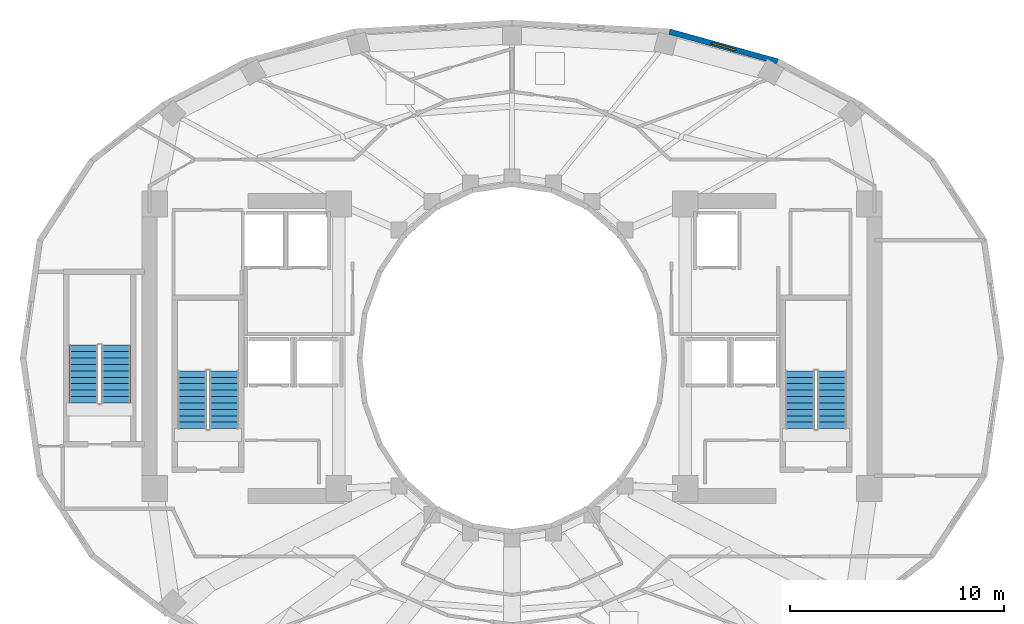
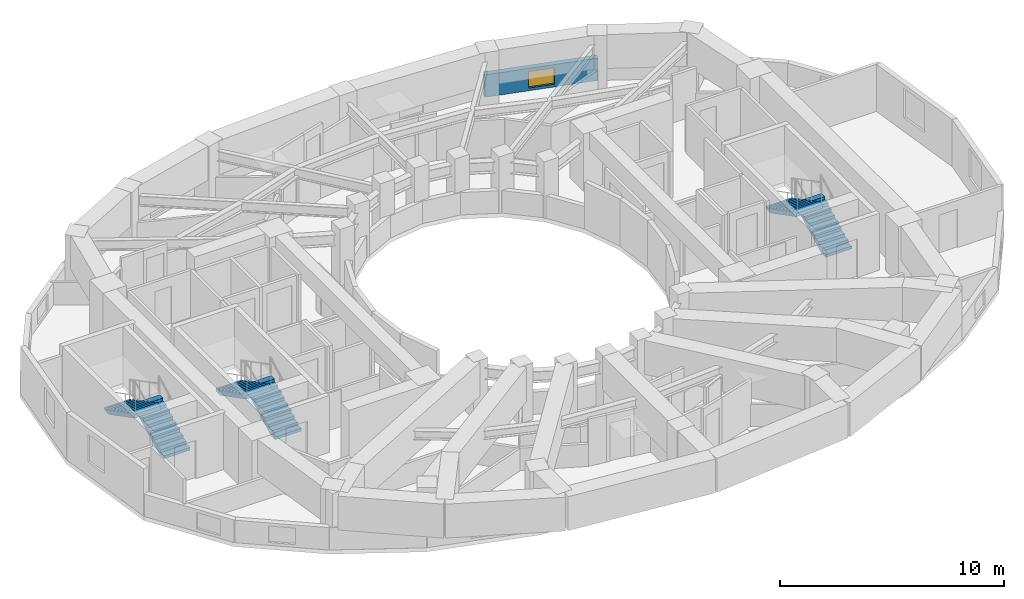
# One storey, part 7 of 9: 6 stair flights, 1 wall, 1 window, 1 opening, 3 elements without a shape of their own.
"""IFC4 building model written with IfcOpenShell, lengths in metres."""

from ifc_helpers import new_model, si_unit, direction, frame, frame_2d, origin, place, context, subcontext, project, spatial, polyline, rectangle, outline, extrude, material, layer, layer_set, type_object, element, fill, aggregate, save


model = new_model("IFC4")

# Units and contexts
model_context = context("Model", 3, precision=1e-05, world=origin(), true_north=direction((0.0, 1.0)))
body_context = subcontext(model_context, "Body", "Model", "MODEL_VIEW")
ifc_project = project(units=[si_unit("LENGTHUNIT", "METRE"), si_unit("AREAUNIT", "SQUARE_METRE"), si_unit("VOLUMEUNIT", "CUBIC_METRE"), si_unit("PLANEANGLEUNIT", "RADIAN"), si_unit("MASSUNIT", "GRAM", prefix="KILO")], contexts=[model_context])

# Site, building, storey
site_placement = place(None, origin())
site = spatial("IfcSite", under=ifc_project, at=site_placement, CompositionType="ELEMENT")
building_placement = place(site_placement, origin())
building = spatial("IfcBuilding", under=site, at=building_placement, Name="Solvane Sanctuary Tower", CompositionType="ELEMENT")
storey_placement = place(building_placement, frame((0.0, 0.0, 168.39990234375)))
storey = spatial("IfcBuildingStorey", under=building, at=storey_placement, Name="L51", CompositionType="ELEMENT", Elevation=168.39990234375)

# Wall, opening, window
ifc_material_1 = material(Name="Precast concrete C40/50", Category="concrete")
ifc_layer = layer(ifc_material_1, 0.260009765625, Name="Precast concrete C40/50")
ifc_layer_set = layer_set([ifc_layer], Name="Precast concrete C40/50")
wall_type = type_object("IfcWallType", Name="Wall W-EXT-250", PredefinedType="STANDARD", material=ifc_layer_set)
wall_placement = place(storey_placement, frame((44.4130859375, 36.86328125, 0.0), z_axis=(0.0, 0.0, 1.0), x_axis=(-0.963953455704, 0.26607092144, 0.0)))
wall = element("IfcWall", 1, at=wall_placement, inside=storey, type_object=wall_type, Name="L51 Ceramic-Printed Facade Wall 04", PredefinedType="STANDARD", context=body_context, shape_type="SweptSolid", body=[
    extrude(rectangle(XDim=5.236572265625, YDim=0.260009765625, at=frame_2d((2.6181640625, 0.0))), origin(), (0.0, 0.0, 1.0), 1.22021484375),
])
opening_placement = place(wall_placement, frame((2.018310546875, 0.0, 0.14990234375)))
opening = element("IfcOpeningElement", 2, at=opening_placement, cuts=wall, Name="Opening WN-OPER-1200", PredefinedType="OPENING", context=body_context, shape_type="SweptSolid", body=[
    extrude(rectangle(XDim=1.199951171875, YDim=0.89990234375, at=frame_2d((0.60009765625, 0.449951171875))), frame((0.0, 0.139892578125, 0.0), z_axis=(0.0, -1.0, 0.0), x_axis=(1.0, 0.0, 0.0)), (0.0, 0.0, 1.0), 0.280029296875),
])
ifc_material_2 = material(Name="Dark Ceramic-Fritted Low-E Glass", Category="glass")
window_type = type_object("IfcWindowType", Name="Window WN-OPER-1200", PartitioningType="SINGLE_PANEL", PredefinedType="WINDOW", material=ifc_material_2)
window_placement = place(opening_placement, origin())
window = element("IfcWindow", 3, at=window_placement, inside=storey, type_object=window_type, Name="L51 Operable Facade Window 04", OverallHeight=0.89990234375, OverallWidth=1.199951171875, PartitioningType="SINGLE_PANEL", PredefinedType="WINDOW", context=body_context, shape_type="SweptSolid", body=[
    extrude(rectangle(XDim=1.199951171875, YDim=0.89990234375, at=frame_2d((0.60009765625, 0.449951171875))), frame((0.0, 0.030029296875, 0.0), z_axis=(0.0, -1.0, 0.0), x_axis=(1.0, 0.0, 0.0)), (0.0, 0.0, 1.0), 0.06005859375),
])
fill(opening, window)

# Stair, stair flights
ifc_material_3 = material(Name="Concrete C45/55", Category="concrete")
stair_type = type_object("IfcStairType", Name="Stair ST-TOW", PredefinedType="HALF_TURN_STAIR", material=ifc_material_3)
stair_1_placement = place(storey_placement, origin())
stair_1 = element("IfcStair", 4, at=stair_1_placement, inside=storey, type_object=stair_type, Name="L51 Exit Stair ST-1 West Core", PredefinedType="HALF_TURN_STAIR")
stair_flight_type = type_object("IfcStairFlightType", Name="StairFlight SF-TOW", PredefinedType="STRAIGHT", material=ifc_material_3)
stair_flight_1_placement = place(storey_placement, frame((18.544921875, 19.699951171875, 0.0), z_axis=(0.0, 0.0, 1.0), x_axis=(0.0, 1.0, 0.0)))
stair_flight_1 = element("IfcStairFlight", 5, at=stair_flight_1_placement, type_object=stair_flight_type, Name="ST-1 flight 1", NumberOfRisers=10, NumberOfTreads=9, PredefinedType="STRAIGHT", RiserHeight=0.155, TreadLength=0.3, context=body_context, shape_type="SweptSolid", body=[
    extrude(outline(polyline([(0.0, 0.0), (0.0, 0.155029296875), (0.300048828125, 0.155029296875), (0.300048828125, 0.31005859375), (0.60009765625, 0.31005859375), (0.60009765625, 0.465087890625), (0.89990234375, 0.465087890625), (0.89990234375, 0.6201171875), (1.199951171875, 0.6201171875), (1.199951171875, 0.77490234375), (1.5, 0.77490234375), (1.5, 0.929931640625), (1.800048828125, 0.929931640625), (1.800048828125, 1.0849609375), (2.10009765625, 1.0849609375), (2.10009765625, 1.239990234375), (2.39990234375, 1.239990234375), (2.39990234375, 1.39501953125), (2.699951171875, 1.39501953125), (2.699951171875, 1.550048828125), (2.699951171875, 1.1923828125), (0.39208984375, 0.0), (0.0, 0.0)])), frame((0.0, 0.675048828125, 0.0), z_axis=(0.0, -1.0, 0.0), x_axis=(1.0, 0.0, 0.0)), (0.0, 0.0, 1.0), 1.35009765625),
])
stair_flight_2_placement = place(storey_placement, frame((17.034912109375, 22.39990234375, 1.550048828125), z_axis=(0.0, 0.0, 1.0), x_axis=(0.0, -1.0, 0.0)))
stair_flight_2 = element("IfcStairFlight", 6, at=stair_flight_2_placement, type_object=stair_flight_type, Name="ST-1 flight 2", NumberOfRisers=10, NumberOfTreads=9, PredefinedType="STRAIGHT", RiserHeight=0.155, TreadLength=0.3, context=body_context, shape_type="SweptSolid", body=[
    extrude(outline(polyline([(0.0, 0.0), (0.0, 0.155029296875), (0.300048828125, 0.155029296875), (0.300048828125, 0.31005859375), (0.60009765625, 0.31005859375), (0.60009765625, 0.465087890625), (0.89990234375, 0.465087890625), (0.89990234375, 0.6201171875), (1.199951171875, 0.6201171875), (1.199951171875, 0.77490234375), (1.5, 0.77490234375), (1.5, 0.929931640625), (1.800048828125, 0.929931640625), (1.800048828125, 1.0849609375), (2.10009765625, 1.0849609375), (2.10009765625, 1.239990234375), (2.39990234375, 1.239990234375), (2.39990234375, 1.39501953125), (2.699951171875, 1.39501953125), (2.699951171875, 1.550048828125), (2.699951171875, 1.1923828125), (0.39208984375, 0.0), (0.0, 0.0)])), frame((0.0, 0.675048828125, 0.0), z_axis=(0.0, -1.0, 0.0), x_axis=(1.0, 0.0, 0.0)), (0.0, 0.0, 1.0), 1.35009765625),
])
aggregate(stair_1, [stair_flight_1, stair_flight_2])

stair_2_placement = place(storey_placement, origin())
stair_2 = element("IfcStair", 7, at=stair_2_placement, inside=storey, type_object=stair_type, Name="L51 Exit Stair ST-2 East Core", PredefinedType="HALF_TURN_STAIR")
stair_flight_3_placement = place(storey_placement, frame((46.965087890625, 19.699951171875, 0.0), z_axis=(0.0, 0.0, 1.0), x_axis=(0.0, 1.0, 0.0)))
stair_flight_3 = element("IfcStairFlight", 8, at=stair_flight_3_placement, type_object=stair_flight_type, Name="ST-2 flight 1", NumberOfRisers=10, NumberOfTreads=9, PredefinedType="STRAIGHT", RiserHeight=0.155, TreadLength=0.3, context=body_context, shape_type="SweptSolid", body=[
    extrude(outline(polyline([(0.0, 0.0), (0.0, 0.155029296875), (0.300048828125, 0.155029296875), (0.300048828125, 0.31005859375), (0.60009765625, 0.31005859375), (0.60009765625, 0.465087890625), (0.89990234375, 0.465087890625), (0.89990234375, 0.6201171875), (1.199951171875, 0.6201171875), (1.199951171875, 0.77490234375), (1.5, 0.77490234375), (1.5, 0.929931640625), (1.800048828125, 0.929931640625), (1.800048828125, 1.0849609375), (2.10009765625, 1.0849609375), (2.10009765625, 1.239990234375), (2.39990234375, 1.239990234375), (2.39990234375, 1.39501953125), (2.699951171875, 1.39501953125), (2.699951171875, 1.550048828125), (2.699951171875, 1.1923828125), (0.39208984375, 0.0), (0.0, 0.0)])), frame((0.0, 0.675048828125, 0.0), z_axis=(0.0, -1.0, 0.0), x_axis=(1.0, 0.0, 0.0)), (0.0, 0.0, 1.0), 1.35009765625),
])
stair_flight_4_placement = place(storey_placement, frame((45.455078125, 22.39990234375, 1.550048828125), z_axis=(0.0, 0.0, 1.0), x_axis=(0.0, -1.0, 0.0)))
stair_flight_4 = element("IfcStairFlight", 9, at=stair_flight_4_placement, type_object=stair_flight_type, Name="ST-2 flight 2", NumberOfRisers=10, NumberOfTreads=9, PredefinedType="STRAIGHT", RiserHeight=0.155, TreadLength=0.3, context=body_context, shape_type="SweptSolid", body=[
    extrude(outline(polyline([(0.0, 0.0), (0.0, 0.155029296875), (0.300048828125, 0.155029296875), (0.300048828125, 0.31005859375), (0.60009765625, 0.31005859375), (0.60009765625, 0.465087890625), (0.89990234375, 0.465087890625), (0.89990234375, 0.6201171875), (1.199951171875, 0.6201171875), (1.199951171875, 0.77490234375), (1.5, 0.77490234375), (1.5, 0.929931640625), (1.800048828125, 0.929931640625), (1.800048828125, 1.0849609375), (2.10009765625, 1.0849609375), (2.10009765625, 1.239990234375), (2.39990234375, 1.239990234375), (2.39990234375, 1.39501953125), (2.699951171875, 1.39501953125), (2.699951171875, 1.550048828125), (2.699951171875, 1.1923828125), (0.39208984375, 0.0), (0.0, 0.0)])), frame((0.0, 0.675048828125, 0.0), z_axis=(0.0, -1.0, 0.0), x_axis=(1.0, 0.0, 0.0)), (0.0, 0.0, 1.0), 1.35009765625),
])
aggregate(stair_2, [stair_flight_3, stair_flight_4])

stair_3_placement = place(storey_placement, origin())
stair_3 = element("IfcStair", 10, at=stair_3_placement, inside=storey, type_object=stair_type, Name="L51 Exit Stair ST-3 Pilgrim Tower Stair", PredefinedType="HALF_TURN_STAIR")
stair_flight_5_placement = place(storey_placement, frame((13.485107421875, 20.89990234375, 0.0), z_axis=(0.0, 0.0, 1.0), x_axis=(0.0, 1.0, 0.0)))
stair_flight_5 = element("IfcStairFlight", 11, at=stair_flight_5_placement, type_object=stair_flight_type, Name="ST-3 flight 1", NumberOfRisers=10, NumberOfTreads=9, PredefinedType="STRAIGHT", RiserHeight=0.155, TreadLength=0.3, context=body_context, shape_type="SweptSolid", body=[
    extrude(outline(polyline([(0.0, 0.0), (0.0, 0.155029296875), (0.300048828125, 0.155029296875), (0.300048828125, 0.31005859375), (0.60009765625, 0.31005859375), (0.60009765625, 0.465087890625), (0.89990234375, 0.465087890625), (0.89990234375, 0.6201171875), (1.199951171875, 0.6201171875), (1.199951171875, 0.77490234375), (1.5, 0.77490234375), (1.5, 0.929931640625), (1.800048828125, 0.929931640625), (1.800048828125, 1.0849609375), (2.10009765625, 1.0849609375), (2.10009765625, 1.239990234375), (2.39990234375, 1.239990234375), (2.39990234375, 1.39501953125), (2.699951171875, 1.39501953125), (2.699951171875, 1.550048828125), (2.699951171875, 1.1923828125), (0.39208984375, 0.0), (0.0, 0.0)])), frame((0.0, 0.675048828125, 0.0), z_axis=(0.0, -1.0, 0.0), x_axis=(1.0, 0.0, 0.0)), (0.0, 0.0, 1.0), 1.35009765625),
])
stair_flight_6_placement = place(storey_placement, frame((11.97509765625, 23.60009765625, 1.550048828125), z_axis=(0.0, 0.0, 1.0), x_axis=(0.0, -1.0, 0.0)))
stair_flight_6 = element("IfcStairFlight", 12, at=stair_flight_6_placement, type_object=stair_flight_type, Name="ST-3 flight 2", NumberOfRisers=10, NumberOfTreads=9, PredefinedType="STRAIGHT", RiserHeight=0.155, TreadLength=0.3, context=body_context, shape_type="SweptSolid", body=[
    extrude(outline(polyline([(0.0, 0.0), (0.0, 0.155029296875), (0.300048828125, 0.155029296875), (0.300048828125, 0.31005859375), (0.60009765625, 0.31005859375), (0.60009765625, 0.465087890625), (0.89990234375, 0.465087890625), (0.89990234375, 0.6201171875), (1.199951171875, 0.6201171875), (1.199951171875, 0.77490234375), (1.5, 0.77490234375), (1.5, 0.929931640625), (1.800048828125, 0.929931640625), (1.800048828125, 1.0849609375), (2.10009765625, 1.0849609375), (2.10009765625, 1.239990234375), (2.39990234375, 1.239990234375), (2.39990234375, 1.39501953125), (2.699951171875, 1.39501953125), (2.699951171875, 1.550048828125), (2.699951171875, 1.1923828125), (0.39208984375, 0.0), (0.0, 0.0)])), frame((0.0, 0.675048828125, 0.0), z_axis=(0.0, -1.0, 0.0), x_axis=(1.0, 0.0, 0.0)), (0.0, 0.0, 1.0), 1.35009765625),
])
aggregate(stair_3, [stair_flight_5, stair_flight_6])

save(model, "model.ifc")
